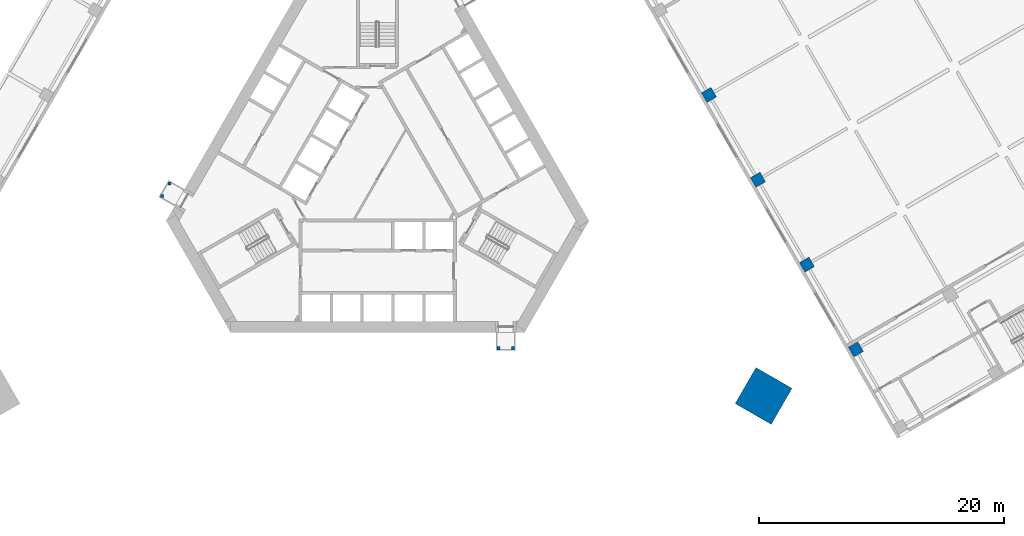
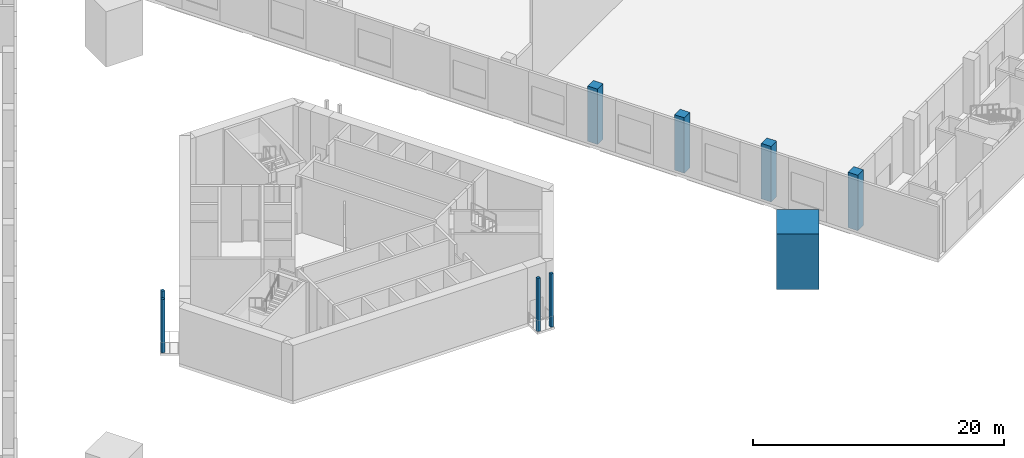
# One storey, part 2 of 35: 9 columns.
"""IFC4 building model written with IfcOpenShell, lengths in metres."""

from ifc_helpers import new_model, si_unit, direction, frame, origin, origin_2d, place, context, subcontext, project, spatial, rectangle, extrude, material, material_profile, profile_set, type_object, element, save


model = new_model("IFC4")

# Units and contexts
model_context = context("Model", 3, precision=1e-05, world=origin(), true_north=direction((0.0, 1.0)))
body_context = subcontext(model_context, "Body", "Model", "MODEL_VIEW")
ifc_project = project(units=[si_unit("LENGTHUNIT", "METRE"), si_unit("AREAUNIT", "SQUARE_METRE"), si_unit("VOLUMEUNIT", "CUBIC_METRE"), si_unit("PLANEANGLEUNIT", "RADIAN"), si_unit("MASSUNIT", "GRAM", prefix="KILO")], contexts=[model_context])

# Site, building, storey
site_placement = place(None, origin())
site = spatial("IfcSite", under=ifc_project, at=site_placement, CompositionType="ELEMENT")
building_placement = place(site_placement, origin())
building = spatial("IfcBuilding", under=site, at=building_placement, Name="Mestral Congress Tower", CompositionType="ELEMENT")
storey_placement = place(building_placement, frame((0.0, 0.0, 6.0)))
storey = spatial("IfcBuildingStorey", under=building, at=storey_placement, Name="L01", CompositionType="ELEMENT", Elevation=6.0)

# Columns
ifc_material_1 = material(Name="Concrete C80/95", Category="concrete")
ifc_material_profile_1 = material_profile(ifc_material_1, rectangle(XDim=3.39990234375, YDim=3.39990234375, at=origin_2d()), Name="RC 3400x3400")
ifc_profile_set_1 = profile_set([ifc_material_profile_1], Name="Concrete C80/95")
column_type_1 = type_object("IfcColumnType", Name="Mega column RC 3400x3400 C80/95", PredefinedType="COLUMN", material=ifc_profile_set_1)
column_placement = place(storey_placement, frame((31.5224609375, -18.199462890625, 0.0), z_axis=(0.0, 0.0, 1.0), x_axis=(0.866025403784, -0.5, 0.0)))
element("IfcColumn", 1, at=column_placement, inside=storey, type_object=column_type_1, Name="COL-L01-PY1-SE", PredefinedType="COLUMN", context=body_context, shape_type="SweptSolid", body=[
    extrude(rectangle(XDim=3.39990234375, YDim=3.39990234375, at=origin_2d()), origin(), (0.0, 0.0, 1.0), 5.39990234375),
])
ifc_material_2 = material(Name="Concrete C50/60", Category="concrete")
ifc_material_profile_2 = material_profile(ifc_material_2, rectangle(XDim=0.89990234375, YDim=0.89990234375, at=origin_2d()), Name="RC 900x900")
ifc_profile_set_2 = profile_set([ifc_material_profile_2], Name="Concrete C50/60")
column_type_2 = type_object("IfcColumnType", Name="Podium column RC 900x900 C50/60", PredefinedType="COLUMN", material=ifc_profile_set_2)
for number, where, z_axis, x_axis, name in (
    (2, (39.060546875, -14.398681640625, 0.0), (0.0, 0.0, 1.0), (-0.5, 0.866025403784, 0.0), "COL-L01-PC-E-02A"),
    (3, (35.060546875, -7.470703125, 0.0), (0.0, 0.0, 1.0), (-0.5, 0.866025403784, 0.0), "COL-L01-PC-E-03A"),
    (4, (31.060546875, -0.54248046875, 0.0), (0.0, 0.0, 1.0), (-0.5, 0.866025403784, 0.0), "COL-L01-PC-E-04A"),
    (5, (27.060546875, 6.3857421875, 0.0), (0.0, 0.0, 1.0), (-0.5, 0.866025403784, 0.0), "COL-L01-PC-E-05A"),
):
    element("IfcColumn", number, at=place(storey_placement, frame(where, z_axis=z_axis, x_axis=x_axis)), inside=storey, type_object=column_type_2, Name=name, PredefinedType="COLUMN", context=body_context, shape_type="SweptSolid", body=[
        extrude(rectangle(XDim=0.89990234375, YDim=0.89990234375, at=origin_2d()), origin(), (0.0, 0.0, 1.0), 5.39990234375),
    ])
ifc_material_3 = material(Name="Concrete C40/50", Category="concrete")
ifc_material_profile_3 = material_profile(ifc_material_3, rectangle(XDim=0.25, YDim=0.25, at=origin_2d()), Name="RC 250x250")
ifc_profile_set_3 = profile_set([ifc_material_profile_3], Name="Concrete C40/50")
column_type_3 = type_object("IfcColumnType", Name="Podium door landing column RC 250x250 C40/50", PredefinedType="COLUMN", material=ifc_profile_set_3)
for number, where, z_axis, x_axis, name in (
    (6, (9.86181640625, -14.300048828125, 0.0), (0.0, 0.0, 1.0), (1.0, 0.0, 0.0), "pd-dl-XD1-L02-C1-L01"),
    (7, (11.061767578125, -14.300048828125, 0.0), (0.0, 0.0, 1.0), (1.0, 0.0, 0.0), "pd-dl-XD1-L02-C2-L01"),
    (8, (-17.0, -0.844970703125, 0.0), (0.0, 0.0, 1.0), (1.0, 0.0, 0.0), "pd-dl-XD3-L02-C1-L01"),
    (9, (-17.60009765625, -1.88427734375, 0.0), (0.0, 0.0, 1.0), (1.0, 0.0, 0.0), "pd-dl-XD3-L02-C2-L01"),
):
    element("IfcColumn", number, at=place(storey_placement, frame(where, z_axis=z_axis, x_axis=x_axis)), inside=storey, type_object=column_type_3, Name=name, PredefinedType="COLUMN", context=body_context, shape_type="SweptSolid", body=[
        extrude(rectangle(XDim=0.25, YDim=0.25, at=origin_2d()), origin(), (0.0, 0.0, 1.0), 5.199951171875),
    ])

save(model, "model.ifc")
